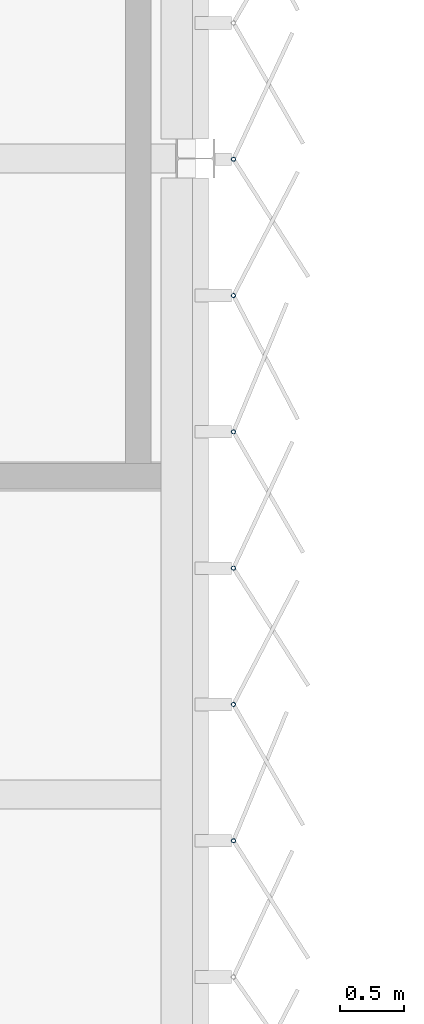
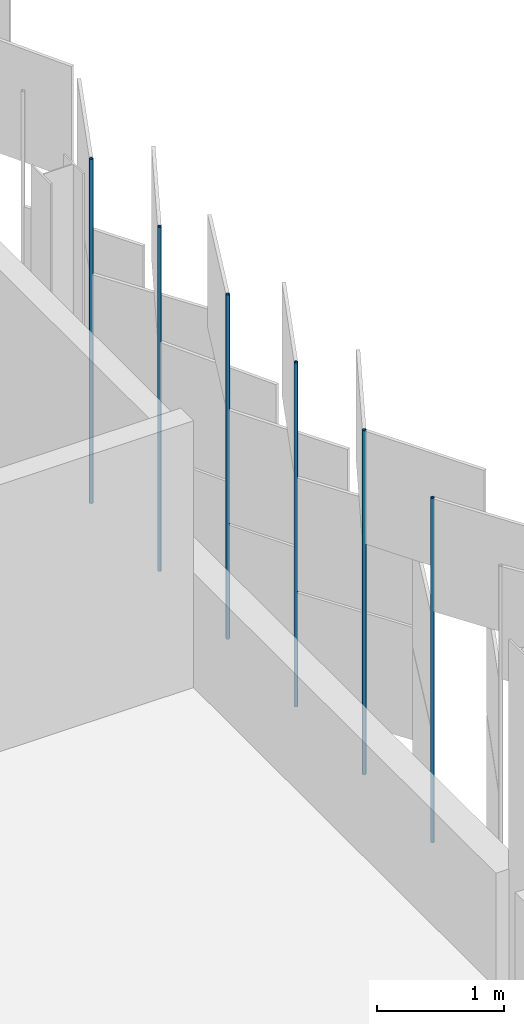
# One storey, part 94 of 198: 6 discrete accessories.
"""IFC4 building model written with IfcOpenShell, lengths in metres."""

from ifc_helpers import new_model, si_unit, direction, frame, origin, origin_2d, place, context, subcontext, project, spatial, hollow_circle, extrude, material, material_profile, profile_set, type_object, element, save


model = new_model("IFC4")

# Units and contexts
model_context = context("Model", 3, precision=1e-05, world=origin(), true_north=direction((0.0, 1.0)))
body_context = subcontext(model_context, "Body", "Model", "MODEL_VIEW")
ifc_project = project(units=[si_unit("LENGTHUNIT", "METRE"), si_unit("AREAUNIT", "SQUARE_METRE"), si_unit("VOLUMEUNIT", "CUBIC_METRE"), si_unit("PLANEANGLEUNIT", "RADIAN"), si_unit("MASSUNIT", "GRAM", prefix="KILO")], contexts=[model_context])

# Site, building, storey
site_placement = place(None, origin())
site = spatial("IfcSite", under=ifc_project, at=site_placement, CompositionType="ELEMENT")
building_placement = place(site_placement, origin())
building = spatial("IfcBuilding", under=site, at=building_placement, Name="Parallax Yard Mobility Hub", CompositionType="ELEMENT")
storey_placement = place(building_placement, frame((0.0, 0.0, 6.60009765625)))
storey = spatial("IfcBuildingStorey", under=building, at=storey_placement, Name="L02", CompositionType="ELEMENT", Elevation=6.60009765625)

# Discrete accessories
ifc_material = material(Name="Steel ASTM A500 Gr C, hot-dip galvanised", Category="steel")
ifc_material_profile = material_profile(ifc_material, hollow_circle(Radius=0.016845703125, WallThickness=0.003173828125, at=origin_2d()), Name="CHS 33.7x3.2")
ifc_profile_set = profile_set([ifc_material_profile], Name="Steel ASTM A500 Gr C, hot-dip galvanised")
discrete_accessory_type = type_object("IfcDiscreteAccessoryType", Name="Hinge post CHS 33.7x3.2", PredefinedType="BRACKET", material=ifc_profile_set)
for number, where, z_axis, x_axis, name in (
    (1, (225.300048828125, 54.63525390625, 0.0), (0.0, 0.0, 1.0), (1.0, 0.0, 0.0), "Hinge post bay 36.3 level L02"),
    (2, (225.300048828125, 55.70703125, 0.0), (0.0, 0.0, 1.0), (1.0, 0.0, 0.0), "Hinge post bay 36.4 level L02"),
    (3, (225.300048828125, 56.77880859375, 0.0), (0.0, 0.0, 1.0), (1.0, 0.0, 0.0), "Hinge post bay 36.5 level L02"),
    (4, (225.300048828125, 57.8505859375, 0.0), (0.0, 0.0, 1.0), (1.0, 0.0, 0.0), "Hinge post bay 36.6 level L02"),
    (5, (225.300048828125, 58.922119140625, 0.0), (0.0, 0.0, 1.0), (1.0, 0.0, 0.0), "Hinge post bay 36.7 level L02"),
    (6, (225.300048828125, 59.993896484375, 0.0), (0.0, 0.0, 1.0), (1.0, 0.0, 0.0), "Hinge post bay 37.1 level L02"),
):
    element("IfcDiscreteAccessory", number, at=place(storey_placement, frame(where, z_axis=z_axis, x_axis=x_axis)), inside=storey, type_object=discrete_accessory_type, Name=name, PredefinedType="BRACKET", context=body_context, shape_type="SweptSolid", body=[
        extrude(hollow_circle(Radius=0.016845703125, WallThickness=0.003173828125, at=origin_2d()), origin(), (0.0, 0.0, 1.0), 3.2998046875),
    ])

save(model, "model.ifc")
